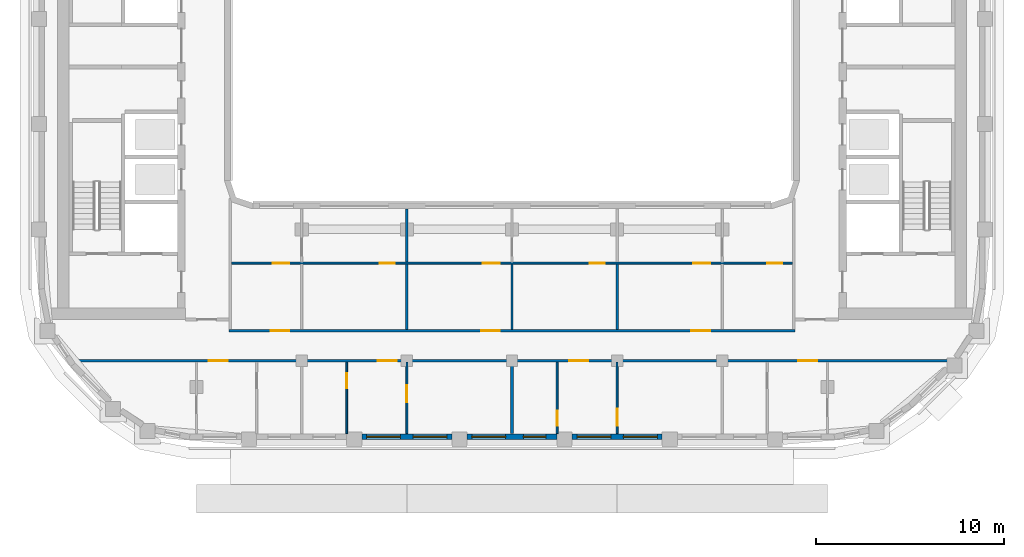
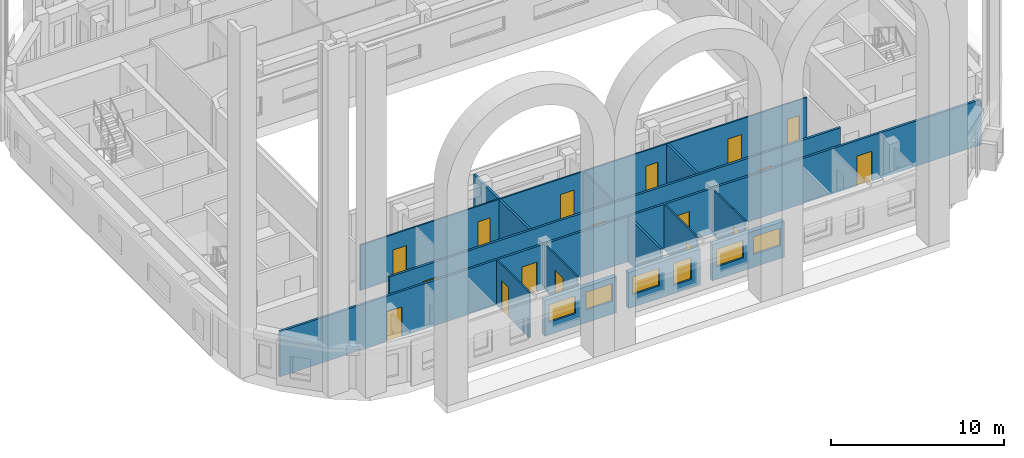
# One storey, part 3 of 19: 17 doors, 15 walls, 6 windows, 23 openings.
"""IFC4 building model written with IfcOpenShell, lengths in metres."""

import ifcopenshell
import ifcopenshell.guid

model = None  # the IFC model being written
_history = None  # IfcOwnerHistory: only IFC2X3 demands one
_inside = {}  # id of a spatial element -> (the spatial element, [elements in it])
_under = {}  # id of a project, library or spatial element -> (it, [spatial elements below it])
_declared = {}  # id of a project -> (the project, [libraries it declares])
_typed = {}  # id of a type object -> (the type object, [elements of that type])
_made_of = {}  # id of a material, layer set ... -> (it, [elements and type objects made of it])


def new_model(schema):
    """Start an empty IFC model of exactly this schema.

    Asked for "IFC4X3", IfcOpenShell would pick the latest addendum, in which some entities
    have other attributes; the version numbers below select the first issue.
    IFC2X3 requires an IfcOwnerHistory on every rooted entity: one is made here for all.
    """
    global model, _history
    if schema == "IFC4X3":
        model = ifcopenshell.file(schema_version=(4, 3, 0, 0))
    else:
        model = ifcopenshell.file(schema=schema)
    _inside.clear()
    _under.clear()
    _declared.clear()
    _typed.clear()
    _made_of.clear()
    _history = None
    if model.schema == "IFC2X3":
        org = make("IfcOrganization", Name="unknown")
        user = make(
            "IfcPersonAndOrganization",
            ThePerson=make("IfcPerson", FamilyName="unknown"),
            TheOrganization=org,
        )
        app = make(
            "IfcApplication",
            ApplicationDeveloper=org,
            Version="unknown",
            ApplicationFullName="unknown",
            ApplicationIdentifier="unknown",
        )
        _history = make(
            "IfcOwnerHistory",
            OwningUser=user,
            OwningApplication=app,
            ChangeAction="ADDED",
            CreationDate=0,
        )
    return model


def make(cls, **values):
    """One entity of the class cls with the attributes given. An attribute that is None is left unset."""
    return model.create_entity(
        cls, **{name: value for name, value in values.items() if value is not None}
    )


def rooted(cls, **values):
    """An entity with a GlobalId (a new one), such as an element, a storey or a relation."""
    return make(cls, GlobalId=ifcopenshell.guid.new(), OwnerHistory=_history, **values)


def si_unit(unit_type, name, prefix=None):
    """IfcSIUnit, for example si_unit("LENGTHUNIT", "METRE", prefix="MILLI")."""
    return make("IfcSIUnit", UnitType=unit_type, Prefix=prefix, Name=name)


def assignment(units):
    """IfcUnitAssignment: the units of a project."""
    return None if units is None else make("IfcUnitAssignment", Units=units)


def point(xyz):
    """IfcCartesianPoint."""
    return None if xyz is None else make("IfcCartesianPoint", Coordinates=xyz)


def direction(xyz):
    """IfcDirection."""
    return None if xyz is None else make("IfcDirection", DirectionRatios=xyz)


def frame(location, z_axis=None, x_axis=None):
    """IfcAxis2Placement3D, a coordinate frame: its origin and axes. An axis left out is left unset."""
    return make(
        "IfcAxis2Placement3D",
        Location=point(location),
        Axis=direction(z_axis),
        RefDirection=direction(x_axis),
    )


def frame_2d(location, x_axis=None):
    """IfcAxis2Placement2D, a coordinate frame in the plane: its origin and x axis."""
    return make(
        "IfcAxis2Placement2D", Location=point(location), RefDirection=direction(x_axis)
    )


def origin():
    """The frame at (0, 0, 0) with its axes left unset."""
    return frame((0.0, 0.0, 0.0))


def place(relative_to, where):
    """IfcLocalPlacement: puts the frame where relative to a parent placement (None: the world)."""
    return make(
        "IfcLocalPlacement", PlacementRelTo=relative_to, RelativePlacement=where
    )


def context(
    kind, dimensions, precision=None, world=None, true_north=None, identifier=None
):
    """IfcGeometricRepresentationContext, for example the 3D "Model" context."""
    return make(
        "IfcGeometricRepresentationContext",
        ContextIdentifier=identifier,
        ContextType=kind,
        CoordinateSpaceDimension=dimensions,
        Precision=precision,
        WorldCoordinateSystem=world,
        TrueNorth=true_north,
    )


def subcontext(parent, identifier, kind, view, scale=None):
    """IfcGeometricRepresentationSubContext, for example "Body" below "Model"."""
    return make(
        "IfcGeometricRepresentationSubContext",
        ContextIdentifier=identifier,
        ContextType=kind,
        ParentContext=parent,
        TargetScale=scale,
        TargetView=view,
    )


def project(units=None, contexts=None):
    """IfcProject with its units and contexts."""
    return rooted(
        "IfcProject",
        Name="project",
        RepresentationContexts=contexts,
        UnitsInContext=assignment(units),
    )


def spatial(cls, under=None, at=None, **own):
    """A site, building, storey or space (cls), placed at a placement, below another one or the project."""
    s = rooted(cls, ObjectPlacement=at, **own)
    if under is not None:
        _under.setdefault(under.id(), (under, []))[1].append(s)
    return s


def profile(cls, at=None, kind="AREA", **sizes):
    """A parametric profile (cls). Its sizes go by their IFC names, for example OverallWidth=200.0."""
    return make(cls, ProfileType=kind, Position=at, **sizes)


def rectangle(**sizes):
    """IfcRectangleProfileDef."""
    return profile("IfcRectangleProfileDef", **sizes)


def extrude(swept, where, along, depth):
    """IfcExtrudedAreaSolid: the profile swept, set in the frame where, extruded along a direction by depth."""
    return make(
        "IfcExtrudedAreaSolid",
        SweptArea=swept,
        Position=where,
        ExtrudedDirection=direction(along),
        Depth=depth,
    )


def shape(context_of_items, identifier, shape_type, items):
    """IfcShapeRepresentation: the items that make up one representation, for example the "Body"."""
    return make(
        "IfcShapeRepresentation",
        ContextOfItems=context_of_items,
        RepresentationIdentifier=identifier,
        RepresentationType=shape_type,
        Items=items,
    )


def material(Name=None, Category=None):
    """IfcMaterial."""
    return make("IfcMaterial", Name=Name, Category=Category)


def layer(
    of_material, thickness, ventilated=None, Name=None, Category=None, Priority=None
):
    """IfcMaterialLayer: one layer of a wall or slab, of a material (None: an air gap)."""
    return make(
        "IfcMaterialLayer",
        Material=of_material,
        LayerThickness=thickness,
        IsVentilated=ventilated,
        Name=Name,
        Category=Category,
        Priority=Priority,
    )


def layer_set(layers, Name=None):
    """IfcMaterialLayerSet."""
    return make("IfcMaterialLayerSet", MaterialLayers=layers, LayerSetName=Name)


def made_of(thing, what):
    """Note that an element or type object is made of a material, layer set ...; save() writes the relation."""
    if what is not None:
        _made_of.setdefault(what.id(), (what, []))[1].append(thing)
    return thing


def type_object(cls, material=None, **own):
    """A type object (cls), such as IfcWallType, which elements share."""
    return made_of(rooted(cls, **own), material)


def element(
    cls,
    number,
    at=None,
    inside=None,
    cuts=None,
    type_object=None,
    material=None,
    context=None,
    identifier="Body",
    shape_type=None,
    held_by="IfcProductDefinitionShape",
    body=None,
    shapes=None,
    **own,
):
    """One element of the class cls, such as IfcWall. Its Tag is "e" and its number.

    at: its placement. inside: the storey or other place that contains it. cuts: it is an
    opening in that element (IfcRelVoidsElement). A single representation is given by context,
    identifier, shape_type and body (its items); several are given by shapes. held_by: the class
    of the entity that holds the representations. save() writes the other relations.
    """
    e = rooted(cls, Tag="e%d" % number, ObjectPlacement=at, **own)
    if body is not None:
        shapes = [shape(context, identifier, shape_type, body)]
    if shapes is not None:
        e.Representation = make(held_by, Representations=shapes)
    if inside is not None:
        _inside.setdefault(inside.id(), (inside, []))[1].append(e)
    if cuts is not None:
        rooted(
            "IfcRelVoidsElement", RelatingBuildingElement=cuts, RelatedOpeningElement=e
        )
    if type_object is not None:
        _typed.setdefault(type_object.id(), (type_object, []))[1].append(e)
    return made_of(e, material)


def fill(opening, filler):
    """IfcRelFillsElement: the door or window that sits in an opening."""
    return rooted(
        "IfcRelFillsElement",
        RelatingOpeningElement=opening,
        RelatedBuildingElement=filler,
    )


def aggregate(whole, parts):
    """IfcRelAggregates: a whole, such as a stair, and the parts it consists of."""
    return rooted("IfcRelAggregates", RelatingObject=whole, RelatedObjects=parts)


def save(model, path):
    """Write the relations noted so far, then the file.

    IfcRelAggregates (storeys below a building ...), IfcRelContainedInSpatialStructure (elements
    in a storey), IfcRelDefinesByType, IfcRelAssociatesMaterial and IfcRelDeclares: one each for
    every whole, place, type object, material and project.
    """
    for whole, parts in _under.values():
        aggregate(whole, parts)
    for where, things in _inside.values():
        rooted(
            "IfcRelContainedInSpatialStructure",
            RelatedElements=things,
            RelatingStructure=where,
        )
    for kind, things in _typed.values():
        rooted("IfcRelDefinesByType", RelatedObjects=things, RelatingType=kind)
    for what, things in _made_of.values():
        rooted("IfcRelAssociatesMaterial", RelatedObjects=things, RelatingMaterial=what)
    for by, libraries in _declared.values():
        rooted("IfcRelDeclares", RelatingContext=by, RelatedDefinitions=libraries)
    model.write(path)


model = new_model("IFC4")

# Units and contexts
model_context = context("Model", 3, precision=1e-05, world=origin(), true_north=direction((0.0, 1.0)))
body_context = subcontext(model_context, "Body", "Model", "MODEL_VIEW")
ifc_project = project(units=[si_unit("LENGTHUNIT", "METRE"), si_unit("AREAUNIT", "SQUARE_METRE"), si_unit("VOLUMEUNIT", "CUBIC_METRE"), si_unit("PLANEANGLEUNIT", "RADIAN"), si_unit("MASSUNIT", "GRAM", prefix="KILO")], contexts=[model_context])

# Site, building, storey
site_placement = place(None, origin())
site = spatial("IfcSite", under=ifc_project, at=site_placement, CompositionType="ELEMENT")
building_placement = place(site_placement, origin())
building = spatial("IfcBuilding", under=site, at=building_placement, Name="Kiln Ring Residences", CompositionType="ELEMENT")
storey_placement = place(building_placement, frame((0.0, 0.0, 241.699951171875)))
storey = spatial("IfcBuildingStorey", under=building, at=storey_placement, Name="L62", CompositionType="ELEMENT", Elevation=241.699951171875)

# Wall, openings, windows
ifc_material_1 = material(Name="Brick masonry, dark clay brick", Category="masonry")
ifc_layer_1 = layer(ifc_material_1, 0.300048828125)
ifc_layer_set_1 = layer_set([ifc_layer_1], Name="EW-300 BRICK WALL")
wall_type_1 = type_object("IfcWallType", Name="EW-300 BRICK WALL", PredefinedType="SOLIDWALL", material=ifc_layer_set_1)
wall_1_placement = place(storey_placement, frame((-8.0, -19.449951171875, 0.0), z_axis=(0.0, 0.0, 1.0), x_axis=(1.0, 0.0, 0.0)))
wall_1 = element("IfcWall", 1, at=wall_1_placement, inside=storey, type_object=wall_type_1, Name="Facade wall L62 6", PredefinedType="SOLIDWALL", context=body_context, shape_type="SweptSolid", body=[
    extrude(rectangle(XDim=4.800048828125, YDim=0.300048828125, at=frame_2d((2.39990234375, 0.0))), origin(), (0.0, 0.0, 1.0), 2.550048828125),
])
opening_1_placement = place(wall_1_placement, frame((0.262451171875, 0.0, 0.89990234375)))
opening_1 = element("IfcOpeningElement", 2, at=opening_1_placement, cuts=wall_1, Name="Opening W2", PredefinedType="OPENING", context=body_context, shape_type="SweptSolid", body=[
    extrude(rectangle(XDim=1.800048828125, YDim=1.25, at=frame_2d((0.89990234375, 0.625))), frame((0.0, 0.159912109375, 0.0), z_axis=(0.0, -1.0, 0.0), x_axis=(1.0, 0.0, 0.0)), (0.0, 0.0, 1.0), 0.320068359375),
])
opening_2_placement = place(wall_1_placement, frame((2.737548828125, 0.0, 0.89990234375)))
opening_2 = element("IfcOpeningElement", 3, at=opening_2_placement, cuts=wall_1, Name="Opening W2", PredefinedType="OPENING", context=body_context, shape_type="SweptSolid", body=[
    extrude(rectangle(XDim=1.800048828125, YDim=1.25, at=frame_2d((0.89990234375, 0.625))), frame((0.0, 0.159912109375, 0.0), z_axis=(0.0, -1.0, 0.0), x_axis=(1.0, 0.0, 0.0)), (0.0, 0.0, 1.0), 0.320068359375),
])
ifc_material_2 = material(Name="Aluminium frame with double glazing", Category="aluminium")
window_type_1 = type_object("IfcWindowType", Name="WINDOW 1800 x 1250", PartitioningType="SINGLE_PANEL", PredefinedType="WINDOW", material=ifc_material_2)
window_1_placement = place(opening_1_placement, origin())
window_1 = element("IfcWindow", 4, at=window_1_placement, inside=storey, type_object=window_type_1, Name="Window L62 6", OverallHeight=1.25, OverallWidth=1.800048828125, PartitioningType="SINGLE_PANEL", PredefinedType="WINDOW", context=body_context, shape_type="SweptSolid", body=[
    extrude(rectangle(XDim=1.800048828125, YDim=1.25, at=frame_2d((0.89990234375, 0.625))), frame((0.0, 0.030029296875, 0.0), z_axis=(0.0, -1.0, 0.0), x_axis=(1.0, 0.0, 0.0)), (0.0, 0.0, 1.0), 0.06005859375),
])
fill(opening_1, window_1)
window_2_placement = place(opening_2_placement, origin())
window_2 = element("IfcWindow", 5, at=window_2_placement, inside=storey, type_object=window_type_1, Name="Window L62 7", OverallHeight=1.25, OverallWidth=1.800048828125, PartitioningType="SINGLE_PANEL", PredefinedType="WINDOW", context=body_context, shape_type="SweptSolid", body=[
    extrude(rectangle(XDim=1.800048828125, YDim=1.25, at=frame_2d((0.89990234375, 0.625))), frame((0.0, 0.030029296875, 0.0), z_axis=(0.0, -1.0, 0.0), x_axis=(1.0, 0.0, 0.0)), (0.0, 0.0, 1.0), 0.06005859375),
])
fill(opening_2, window_2)

wall_2_placement = place(storey_placement, frame((-2.39990234375, -19.449951171875, 0.0), z_axis=(0.0, 0.0, 1.0), x_axis=(1.0, 0.0, 0.0)))
wall_2 = element("IfcWall", 6, at=wall_2_placement, inside=storey, type_object=wall_type_1, Name="Facade wall L62 7", PredefinedType="SOLIDWALL", context=body_context, shape_type="SweptSolid", body=[
    extrude(rectangle(XDim=4.7998046875, YDim=0.300048828125, at=frame_2d((2.39990234375, 0.0))), origin(), (0.0, 0.0, 1.0), 2.550048828125),
])
opening_3_placement = place(wall_2_placement, frame((0.262451171875, 0.0, 0.89990234375)))
opening_3 = element("IfcOpeningElement", 7, at=opening_3_placement, cuts=wall_2, Name="Opening W2", PredefinedType="OPENING", context=body_context, shape_type="SweptSolid", body=[
    extrude(rectangle(XDim=1.800048828125, YDim=1.25, at=frame_2d((0.89990234375, 0.625))), frame((0.0, 0.159912109375, 0.0), z_axis=(0.0, -1.0, 0.0), x_axis=(1.0, 0.0, 0.0)), (0.0, 0.0, 1.0), 0.320068359375),
])
opening_4_placement = place(wall_2_placement, frame((3.0, 0.0, 0.60009765625)))
opening_4 = element("IfcOpeningElement", 8, at=opening_4_placement, cuts=wall_2, Name="Opening W1", PredefinedType="OPENING", context=body_context, shape_type="SweptSolid", body=[
    extrude(rectangle(XDim=1.199951171875, YDim=1.550048828125, at=frame_2d((0.60009765625, 0.77490234375))), frame((0.0, 0.159912109375, 0.0), z_axis=(0.0, -1.0, 0.0), x_axis=(1.0, 0.0, 0.0)), (0.0, 0.0, 1.0), 0.320068359375),
])
ifc_material_3 = material(Name="Aluminium frame with double glazing", Category="aluminium")
window_type_2 = type_object("IfcWindowType", Name="WINDOW 1200 x 1550", PartitioningType="SINGLE_PANEL", PredefinedType="WINDOW", material=ifc_material_3)
window_3_placement = place(opening_4_placement, origin())
window_3 = element("IfcWindow", 9, at=window_3_placement, inside=storey, type_object=window_type_2, Name="Window L62 9", OverallHeight=1.550048828125, OverallWidth=1.199951171875, PartitioningType="SINGLE_PANEL", PredefinedType="WINDOW", context=body_context, shape_type="SweptSolid", body=[
    extrude(rectangle(XDim=1.199951171875, YDim=1.550048828125, at=frame_2d((0.60009765625, 0.77490234375))), frame((0.0, 0.030029296875, 0.0), z_axis=(0.0, -1.0, 0.0), x_axis=(1.0, 0.0, 0.0)), (0.0, 0.0, 1.0), 0.06005859375),
])
fill(opening_4, window_3)
window_4_placement = place(opening_3_placement, origin())
window_4 = element("IfcWindow", 10, at=window_4_placement, inside=storey, type_object=window_type_1, Name="Window L62 8", OverallHeight=1.25, OverallWidth=1.800048828125, PartitioningType="SINGLE_PANEL", PredefinedType="WINDOW", context=body_context, shape_type="SweptSolid", body=[
    extrude(rectangle(XDim=1.800048828125, YDim=1.25, at=frame_2d((0.89990234375, 0.625))), frame((0.0, 0.030029296875, 0.0), z_axis=(0.0, -1.0, 0.0), x_axis=(1.0, 0.0, 0.0)), (0.0, 0.0, 1.0), 0.06005859375),
])
fill(opening_3, window_4)

wall_3_placement = place(storey_placement, frame((3.199951171875, -19.449951171875, 0.0), z_axis=(0.0, 0.0, 1.0), x_axis=(1.0, 0.0, 0.0)))
wall_3 = element("IfcWall", 11, at=wall_3_placement, inside=storey, type_object=wall_type_1, Name="Facade wall L62 8", PredefinedType="SOLIDWALL", context=body_context, shape_type="SweptSolid", body=[
    extrude(rectangle(XDim=4.800048828125, YDim=0.300048828125, at=frame_2d((2.39990234375, 0.0))), origin(), (0.0, 0.0, 1.0), 2.550048828125),
])
opening_5_placement = place(wall_3_placement, frame((0.262451171875, 0.0, 0.89990234375)))
opening_5 = element("IfcOpeningElement", 12, at=opening_5_placement, cuts=wall_3, Name="Opening W2", PredefinedType="OPENING", context=body_context, shape_type="SweptSolid", body=[
    extrude(rectangle(XDim=1.800048828125, YDim=1.25, at=frame_2d((0.89990234375, 0.625))), frame((0.0, 0.159912109375, 0.0), z_axis=(0.0, -1.0, 0.0), x_axis=(1.0, 0.0, 0.0)), (0.0, 0.0, 1.0), 0.320068359375),
])
opening_6_placement = place(wall_3_placement, frame((2.737548828125, 0.0, 0.89990234375)))
opening_6 = element("IfcOpeningElement", 13, at=opening_6_placement, cuts=wall_3, Name="Opening W2", PredefinedType="OPENING", context=body_context, shape_type="SweptSolid", body=[
    extrude(rectangle(XDim=1.800048828125, YDim=1.25, at=frame_2d((0.89990234375, 0.625))), frame((0.0, 0.159912109375, 0.0), z_axis=(0.0, -1.0, 0.0), x_axis=(1.0, 0.0, 0.0)), (0.0, 0.0, 1.0), 0.320068359375),
])
window_5_placement = place(opening_5_placement, origin())
window_5 = element("IfcWindow", 14, at=window_5_placement, inside=storey, type_object=window_type_1, Name="Window L62 10", OverallHeight=1.25, OverallWidth=1.800048828125, PartitioningType="SINGLE_PANEL", PredefinedType="WINDOW", context=body_context, shape_type="SweptSolid", body=[
    extrude(rectangle(XDim=1.800048828125, YDim=1.25, at=frame_2d((0.89990234375, 0.625))), frame((0.0, 0.030029296875, 0.0), z_axis=(0.0, -1.0, 0.0), x_axis=(1.0, 0.0, 0.0)), (0.0, 0.0, 1.0), 0.06005859375),
])
fill(opening_5, window_5)
window_6_placement = place(opening_6_placement, origin())
window_6 = element("IfcWindow", 15, at=window_6_placement, inside=storey, type_object=window_type_1, Name="Window L62 11", OverallHeight=1.25, OverallWidth=1.800048828125, PartitioningType="SINGLE_PANEL", PredefinedType="WINDOW", context=body_context, shape_type="SweptSolid", body=[
    extrude(rectangle(XDim=1.800048828125, YDim=1.25, at=frame_2d((0.89990234375, 0.625))), frame((0.0, 0.030029296875, 0.0), z_axis=(0.0, -1.0, 0.0), x_axis=(1.0, 0.0, 0.0)), (0.0, 0.0, 1.0), 0.06005859375),
])
fill(opening_6, window_6)

# Wall, openings, doors
ifc_material_4 = material(Name="Gypsum board on steel studs", Category="steel")
ifc_layer_2 = layer(ifc_material_4, 0.10009765625)
ifc_layer_set_2 = layer_set([ifc_layer_2], Name="PARTITION-100")
wall_type_2 = type_object("IfcWallType", Name="PARTITION-100", PredefinedType="PARTITIONING", material=ifc_layer_set_2)
wall_4_placement = place(storey_placement, frame((-14.925048828125, -10.199951171875, 0.0), z_axis=(0.0, 0.0, 1.0), x_axis=(1.0, 0.0, 0.0)))
wall_4 = element("IfcWall", 16, at=wall_4_placement, inside=storey, type_object=wall_type_2, Name="Partition 004", PredefinedType="PARTITIONING", context=body_context, shape_type="SweptSolid", body=[
    extrude(rectangle(XDim=29.85009765625, YDim=0.10009765625, at=frame_2d((14.925048828125, 0.0))), origin(), (0.0, 0.0, 1.0), 3.199951171875),
])
opening_7_placement = place(wall_4_placement, frame((7.875, 0.0, 0.0)))
opening_7 = element("IfcOpeningElement", 17, at=opening_7_placement, cuts=wall_4, Name="Opening L62-D030", PredefinedType="OPENING", context=body_context, shape_type="SweptSolid", body=[
    extrude(rectangle(XDim=0.800048828125, YDim=2.10009765625, at=frame_2d((0.39990234375, 1.050048828125))), frame((0.0, 0.06005859375, 0.0), z_axis=(0.0, -1.0, 0.0), x_axis=(1.0, 0.0, 0.0)), (0.0, 0.0, 1.0), 0.1201171875),
])
opening_8_placement = place(wall_4_placement, frame((2.175048828125, 0.0, 0.0)))
opening_8 = element("IfcOpeningElement", 18, at=opening_8_placement, cuts=wall_4, Name="Opening L62-D031", PredefinedType="OPENING", context=body_context, shape_type="SweptSolid", body=[
    extrude(rectangle(XDim=0.89990234375, YDim=2.10009765625, at=frame_2d((0.449951171875, 1.050048828125))), frame((0.0, 0.06005859375, 0.0), z_axis=(0.0, -1.0, 0.0), x_axis=(1.0, 0.0, 0.0)), (0.0, 0.0, 1.0), 0.1201171875),
])
opening_9_placement = place(wall_4_placement, frame((19.074951171875, 0.0, 0.0)))
opening_9 = element("IfcOpeningElement", 19, at=opening_9_placement, cuts=wall_4, Name="Opening L62-D034", PredefinedType="OPENING", context=body_context, shape_type="SweptSolid", body=[
    extrude(rectangle(XDim=0.800048828125, YDim=2.10009765625, at=frame_2d((0.39990234375, 1.050048828125))), frame((0.0, 0.06005859375, 0.0), z_axis=(0.0, -1.0, 0.0), x_axis=(1.0, 0.0, 0.0)), (0.0, 0.0, 1.0), 0.1201171875),
])
opening_10_placement = place(wall_4_placement, frame((13.375, 0.0, 0.0)))
opening_10 = element("IfcOpeningElement", 20, at=opening_10_placement, cuts=wall_4, Name="Opening L62-D035", PredefinedType="OPENING", context=body_context, shape_type="SweptSolid", body=[
    extrude(rectangle(XDim=0.89990234375, YDim=2.10009765625, at=frame_2d((0.449951171875, 1.050048828125))), frame((0.0, 0.06005859375, 0.0), z_axis=(0.0, -1.0, 0.0), x_axis=(1.0, 0.0, 0.0)), (0.0, 0.0, 1.0), 0.1201171875),
])
opening_11_placement = place(wall_4_placement, frame((28.52490234375, 0.0, 0.0)))
opening_11 = element("IfcOpeningElement", 21, at=opening_11_placement, cuts=wall_4, Name="Opening L62-D038", PredefinedType="OPENING", context=body_context, shape_type="SweptSolid", body=[
    extrude(rectangle(XDim=0.800048828125, YDim=2.10009765625, at=frame_2d((0.39990234375, 1.050048828125))), frame((0.0, 0.06005859375, 0.0), z_axis=(0.0, -1.0, 0.0), x_axis=(1.0, 0.0, 0.0)), (0.0, 0.0, 1.0), 0.1201171875),
])
opening_12_placement = place(wall_4_placement, frame((24.574951171875, 0.0, 0.0)))
opening_12 = element("IfcOpeningElement", 22, at=opening_12_placement, cuts=wall_4, Name="Opening L62-D039", PredefinedType="OPENING", context=body_context, shape_type="SweptSolid", body=[
    extrude(rectangle(XDim=0.89990234375, YDim=2.10009765625, at=frame_2d((0.449951171875, 1.050048828125))), frame((0.0, 0.06005859375, 0.0), z_axis=(0.0, -1.0, 0.0), x_axis=(1.0, 0.0, 0.0)), (0.0, 0.0, 1.0), 0.1201171875),
])
ifc_material_5 = material(Name="Timber door leaf", Category="wood")
door_type_1 = type_object("IfcDoorType", Name="FLAT-DOOR-800-PL", OperationType="SINGLE_SWING_LEFT", PredefinedType="DOOR", material=ifc_material_5)
door_1_placement = place(opening_7_placement, origin())
door_1 = element("IfcDoor", 23, at=door_1_placement, inside=storey, type_object=door_type_1, Name="Door L62-D030", OperationType="SINGLE_SWING_RIGHT", OverallHeight=2.10009765625, OverallWidth=0.800048828125, PredefinedType="DOOR", context=body_context, shape_type="SweptSolid", body=[
    extrude(rectangle(XDim=0.800048828125, YDim=2.10009765625, at=frame_2d((0.39990234375, 1.050048828125))), frame((0.0, 0.02490234375, 0.0), z_axis=(0.0, -1.0, 0.0), x_axis=(1.0, 0.0, 0.0)), (0.0, 0.0, 1.0), 0.050048828125),
])
fill(opening_7, door_1)
door_2_placement = place(opening_9_placement, origin())
door_2 = element("IfcDoor", 24, at=door_2_placement, inside=storey, type_object=door_type_1, Name="Door L62-D034", OperationType="SINGLE_SWING_RIGHT", OverallHeight=2.10009765625, OverallWidth=0.800048828125, PredefinedType="DOOR", context=body_context, shape_type="SweptSolid", body=[
    extrude(rectangle(XDim=0.800048828125, YDim=2.10009765625, at=frame_2d((0.39990234375, 1.050048828125))), frame((0.0, 0.02490234375, 0.0), z_axis=(0.0, -1.0, 0.0), x_axis=(1.0, 0.0, 0.0)), (0.0, 0.0, 1.0), 0.050048828125),
])
fill(opening_9, door_2)
door_3_placement = place(opening_11_placement, origin())
door_3 = element("IfcDoor", 25, at=door_3_placement, inside=storey, type_object=door_type_1, Name="Door L62-D038", OperationType="SINGLE_SWING_RIGHT", OverallHeight=2.10009765625, OverallWidth=0.800048828125, PredefinedType="DOOR", context=body_context, shape_type="SweptSolid", body=[
    extrude(rectangle(XDim=0.800048828125, YDim=2.10009765625, at=frame_2d((0.39990234375, 1.050048828125))), frame((0.0, 0.02490234375, 0.0), z_axis=(0.0, -1.0, 0.0), x_axis=(1.0, 0.0, 0.0)), (0.0, 0.0, 1.0), 0.050048828125),
])
fill(opening_11, door_3)
ifc_material_6 = material(Name="Timber door leaf", Category="wood")
door_type_2 = type_object("IfcDoorType", Name="FLAT-DOOR-900-PL", OperationType="SINGLE_SWING_LEFT", PredefinedType="DOOR", material=ifc_material_6)
door_4_placement = place(opening_8_placement, origin())
door_4 = element("IfcDoor", 26, at=door_4_placement, inside=storey, type_object=door_type_2, Name="Door L62-D031", OperationType="SINGLE_SWING_LEFT", OverallHeight=2.10009765625, OverallWidth=0.89990234375, PredefinedType="DOOR", context=body_context, shape_type="SweptSolid", body=[
    extrude(rectangle(XDim=0.89990234375, YDim=2.10009765625, at=frame_2d((0.449951171875, 1.050048828125))), frame((0.0, 0.02490234375, 0.0), z_axis=(0.0, -1.0, 0.0), x_axis=(1.0, 0.0, 0.0)), (0.0, 0.0, 1.0), 0.050048828125),
])
fill(opening_8, door_4)
door_5_placement = place(opening_10_placement, origin())
door_5 = element("IfcDoor", 27, at=door_5_placement, inside=storey, type_object=door_type_2, Name="Door L62-D035", OperationType="SINGLE_SWING_LEFT", OverallHeight=2.10009765625, OverallWidth=0.89990234375, PredefinedType="DOOR", context=body_context, shape_type="SweptSolid", body=[
    extrude(rectangle(XDim=0.89990234375, YDim=2.10009765625, at=frame_2d((0.449951171875, 1.050048828125))), frame((0.0, 0.02490234375, 0.0), z_axis=(0.0, -1.0, 0.0), x_axis=(1.0, 0.0, 0.0)), (0.0, 0.0, 1.0), 0.050048828125),
])
fill(opening_10, door_5)
door_6_placement = place(opening_12_placement, origin())
door_6 = element("IfcDoor", 28, at=door_6_placement, inside=storey, type_object=door_type_2, Name="Door L62-D039", OperationType="SINGLE_SWING_LEFT", OverallHeight=2.10009765625, OverallWidth=0.89990234375, PredefinedType="DOOR", context=body_context, shape_type="SweptSolid", body=[
    extrude(rectangle(XDim=0.89990234375, YDim=2.10009765625, at=frame_2d((0.449951171875, 1.050048828125))), frame((0.0, 0.02490234375, 0.0), z_axis=(0.0, -1.0, 0.0), x_axis=(1.0, 0.0, 0.0)), (0.0, 0.0, 1.0), 0.050048828125),
])
fill(opening_12, door_6)

# Wall, opening, door
wall_5_placement = place(storey_placement, frame((-8.800048828125, -19.280029296875, 0.0), z_axis=(0.0, 0.0, 1.0), x_axis=(0.0, 1.0, 0.0)))
wall_5 = element("IfcWall", 29, at=wall_5_placement, inside=storey, type_object=wall_type_2, Name="Partition 021", PredefinedType="PARTITIONING", context=body_context, shape_type="SweptSolid", body=[
    extrude(rectangle(XDim=3.804931640625, YDim=0.10009765625, at=frame_2d((1.90234375, 0.0))), origin(), (0.0, 0.0, 1.0), 3.199951171875),
])
opening_13_placement = place(wall_5_placement, frame((2.428955078125, 0.0, 0.0)))
opening_13 = element("IfcOpeningElement", 30, at=opening_13_placement, cuts=wall_5, Name="Opening L62-D045", PredefinedType="OPENING", context=body_context, shape_type="SweptSolid", body=[
    extrude(rectangle(XDim=0.800048828125, YDim=2.10009765625, at=frame_2d((0.39990234375, 1.050048828125))), frame((0.0, 0.06005859375, 0.0), z_axis=(0.0, -1.0, 0.0), x_axis=(1.0, 0.0, 0.0)), (0.0, 0.0, 1.0), 0.1201171875),
])
door_7_placement = place(opening_13_placement, origin())
door_7 = element("IfcDoor", 31, at=door_7_placement, inside=storey, type_object=door_type_1, Name="Door L62-D045", OperationType="SINGLE_SWING_LEFT", OverallHeight=2.10009765625, OverallWidth=0.800048828125, PredefinedType="DOOR", context=body_context, shape_type="SweptSolid", body=[
    extrude(rectangle(XDim=0.800048828125, YDim=2.10009765625, at=frame_2d((0.39990234375, 1.050048828125))), frame((0.0, 0.02490234375, 0.0), z_axis=(0.0, -1.0, 0.0), x_axis=(1.0, 0.0, 0.0)), (0.0, 0.0, 1.0), 0.050048828125),
])
fill(opening_13, door_7)

wall_6_placement = place(storey_placement, frame((-5.60009765625, -19.280029296875, 0.0), z_axis=(0.0, 0.0, 1.0), x_axis=(0.0, 1.0, 0.0)))
wall_6 = element("IfcWall", 32, at=wall_6_placement, inside=storey, type_object=wall_type_2, Name="Partition 023", PredefinedType="PARTITIONING", context=body_context, shape_type="SweptSolid", body=[
    extrude(rectangle(XDim=3.804931640625, YDim=0.10009765625, at=frame_2d((1.90234375, 0.0))), origin(), (0.0, 0.0, 1.0), 3.199951171875),
])
opening_14_placement = place(wall_6_placement, frame((1.669921875, 0.0, 0.0)))
opening_14 = element("IfcOpeningElement", 33, at=opening_14_placement, cuts=wall_6, Name="Opening L62-D046", PredefinedType="OPENING", context=body_context, shape_type="SweptSolid", body=[
    extrude(rectangle(XDim=0.89990234375, YDim=2.10009765625, at=frame_2d((0.449951171875, 1.050048828125))), frame((0.0, 0.06005859375, 0.0), z_axis=(0.0, -1.0, 0.0), x_axis=(1.0, 0.0, 0.0)), (0.0, 0.0, 1.0), 0.1201171875),
])
door_8_placement = place(opening_14_placement, origin())
door_8 = element("IfcDoor", 34, at=door_8_placement, inside=storey, type_object=door_type_2, Name="Door L62-D046", OperationType="SINGLE_SWING_RIGHT", OverallHeight=2.10009765625, OverallWidth=0.89990234375, PredefinedType="DOOR", context=body_context, shape_type="SweptSolid", body=[
    extrude(rectangle(XDim=0.89990234375, YDim=2.10009765625, at=frame_2d((0.449951171875, 1.050048828125))), frame((0.0, 0.02490234375, 0.0), z_axis=(0.0, -1.0, 0.0), x_axis=(1.0, 0.0, 0.0)), (0.0, 0.0, 1.0), 0.050048828125),
])
fill(opening_14, door_8)

# Wall
wall_7_placement = place(storey_placement, frame((0.0, -13.72509765625, 0.0), z_axis=(0.0, 0.0, 1.0), x_axis=(0.0, 1.0, 0.0)))
element("IfcWall", 35, at=wall_7_placement, inside=storey, type_object=wall_type_2, Name="Partition 030", PredefinedType="PARTITIONING", context=body_context, shape_type="SweptSolid", body=[
    extrude(rectangle(XDim=3.47509765625, YDim=0.10009765625, at=frame_2d((1.737548828125, 0.0))), origin(), (0.0, 0.0, 1.0), 3.199951171875),
])

# Wall, opening, door
wall_8_placement = place(storey_placement, frame((2.39990234375, -19.280029296875, 0.0), z_axis=(0.0, 0.0, 1.0), x_axis=(0.0, 1.0, 0.0)))
wall_8 = element("IfcWall", 36, at=wall_8_placement, inside=storey, type_object=wall_type_2, Name="Partition 036", PredefinedType="PARTITIONING", context=body_context, shape_type="SweptSolid", body=[
    extrude(rectangle(XDim=3.804931640625, YDim=0.10009765625, at=frame_2d((1.90234375, 0.0))), origin(), (0.0, 0.0, 1.0), 3.199951171875),
])
opening_15_placement = place(wall_8_placement, frame((0.428955078125, 0.0, 0.0)))
opening_15 = element("IfcOpeningElement", 37, at=opening_15_placement, cuts=wall_8, Name="Opening L62-D048", PredefinedType="OPENING", context=body_context, shape_type="SweptSolid", body=[
    extrude(rectangle(XDim=0.800048828125, YDim=2.10009765625, at=frame_2d((0.39990234375, 1.050048828125))), frame((0.0, 0.06005859375, 0.0), z_axis=(0.0, -1.0, 0.0), x_axis=(1.0, 0.0, 0.0)), (0.0, 0.0, 1.0), 0.1201171875),
])
door_9_placement = place(opening_15_placement, origin())
door_9 = element("IfcDoor", 38, at=door_9_placement, inside=storey, type_object=door_type_1, Name="Door L62-D048", OperationType="SINGLE_SWING_RIGHT", OverallHeight=2.10009765625, OverallWidth=0.800048828125, PredefinedType="DOOR", context=body_context, shape_type="SweptSolid", body=[
    extrude(rectangle(XDim=0.800048828125, YDim=2.10009765625, at=frame_2d((0.39990234375, 1.050048828125))), frame((0.0, 0.02490234375, 0.0), z_axis=(0.0, -1.0, 0.0), x_axis=(1.0, 0.0, 0.0)), (0.0, 0.0, 1.0), 0.050048828125),
])
fill(opening_15, door_9)

wall_9_placement = place(storey_placement, frame((5.60009765625, -19.280029296875, 0.0), z_axis=(0.0, 0.0, 1.0), x_axis=(0.0, 1.0, 0.0)))
wall_9 = element("IfcWall", 39, at=wall_9_placement, inside=storey, type_object=wall_type_2, Name="Partition 038", PredefinedType="PARTITIONING", context=body_context, shape_type="SweptSolid", body=[
    extrude(rectangle(XDim=3.804931640625, YDim=0.10009765625, at=frame_2d((1.90234375, 0.0))), origin(), (0.0, 0.0, 1.0), 3.199951171875),
])
opening_16_placement = place(wall_9_placement, frame((0.419921875, 0.0, 0.0)))
opening_16 = element("IfcOpeningElement", 40, at=opening_16_placement, cuts=wall_9, Name="Opening L62-D049", PredefinedType="OPENING", context=body_context, shape_type="SweptSolid", body=[
    extrude(rectangle(XDim=0.89990234375, YDim=2.10009765625, at=frame_2d((0.449951171875, 1.050048828125))), frame((0.0, 0.06005859375, 0.0), z_axis=(0.0, -1.0, 0.0), x_axis=(1.0, 0.0, 0.0)), (0.0, 0.0, 1.0), 0.1201171875),
])
door_10_placement = place(opening_16_placement, origin())
door_10 = element("IfcDoor", 41, at=door_10_placement, inside=storey, type_object=door_type_2, Name="Door L62-D049", OperationType="SINGLE_SWING_LEFT", OverallHeight=2.10009765625, OverallWidth=0.89990234375, PredefinedType="DOOR", context=body_context, shape_type="SweptSolid", body=[
    extrude(rectangle(XDim=0.89990234375, YDim=2.10009765625, at=frame_2d((0.449951171875, 1.050048828125))), frame((0.0, 0.02490234375, 0.0), z_axis=(0.0, -1.0, 0.0), x_axis=(1.0, 0.0, 0.0)), (0.0, 0.0, 1.0), 0.050048828125),
])
fill(opening_16, door_10)

# Wall, openings, doors
ifc_material_7 = material(Name="Brick masonry partition", Category="masonry")
ifc_layer_3 = layer(ifc_material_7, 0.14990234375)
ifc_layer_set_3 = layer_set([ifc_layer_3], Name="PARTITION-150-ei60")
wall_type_3 = type_object("IfcWallType", Name="PARTITION-150-ei60", PredefinedType="PARTITIONING", material=ifc_layer_set_3)
wall_10_placement = place(storey_placement, frame((-23.322021484375, -15.39990234375, 0.0), z_axis=(0.0, 0.0, 1.0), x_axis=(1.0, 0.0, 0.0)))
wall_10 = element("IfcWall", 42, at=wall_10_placement, inside=storey, type_object=wall_type_3, Name="Partition 000", PredefinedType="PARTITIONING", context=body_context, shape_type="SweptSolid", body=[
    extrude(rectangle(XDim=46.8720703125, YDim=0.14990234375, at=frame_2d((23.43603515625, 0.0))), origin(), (0.0, 0.0, 1.0), 3.199951171875),
])
opening_17_placement = place(wall_10_placement, frame((7.172119140625, 0.0, 0.0)))
opening_17 = element("IfcOpeningElement", 43, at=opening_17_placement, cuts=wall_10, Name="Opening L62-D041", PredefinedType="OPENING", context=body_context, shape_type="SweptSolid", body=[
    extrude(rectangle(XDim=1.0, YDim=2.10009765625, at=frame_2d((0.5, 1.050048828125))), frame((0.0, 0.0849609375, 0.0), z_axis=(0.0, -1.0, 0.0), x_axis=(1.0, 0.0, 0.0)), (0.0, 0.0, 1.0), 0.169921875),
])
opening_18_placement = place(wall_10_placement, frame((16.172119140625, 0.0, 0.0)))
opening_18 = element("IfcOpeningElement", 44, at=opening_18_placement, cuts=wall_10, Name="Opening L62-D044", PredefinedType="OPENING", context=body_context, shape_type="SweptSolid", body=[
    extrude(rectangle(XDim=1.0, YDim=2.10009765625, at=frame_2d((0.5, 1.050048828125))), frame((0.0, 0.0849609375, 0.0), z_axis=(0.0, -1.0, 0.0), x_axis=(1.0, 0.0, 0.0)), (0.0, 0.0, 1.0), 0.169921875),
])
opening_19_placement = place(wall_10_placement, frame((26.3720703125, 0.0, 0.0)))
opening_19 = element("IfcOpeningElement", 45, at=opening_19_placement, cuts=wall_10, Name="Opening L62-D047", PredefinedType="OPENING", context=body_context, shape_type="SweptSolid", body=[
    extrude(rectangle(XDim=1.0, YDim=2.10009765625, at=frame_2d((0.5, 1.050048828125))), frame((0.0, 0.0849609375, 0.0), z_axis=(0.0, -1.0, 0.0), x_axis=(1.0, 0.0, 0.0)), (0.0, 0.0, 1.0), 0.169921875),
])
opening_20_placement = place(wall_10_placement, frame((38.572021484375, 0.0, 0.0)))
opening_20 = element("IfcOpeningElement", 46, at=opening_20_placement, cuts=wall_10, Name="Opening L62-D050", PredefinedType="OPENING", context=body_context, shape_type="SweptSolid", body=[
    extrude(rectangle(XDim=1.0, YDim=2.10009765625, at=frame_2d((0.5, 1.050048828125))), frame((0.0, 0.0849609375, 0.0), z_axis=(0.0, -1.0, 0.0), x_axis=(1.0, 0.0, 0.0)), (0.0, 0.0, 1.0), 0.169921875),
])
ifc_material_8 = material(Name="Steel faced fire door leaf", Category="steel")
door_type_3 = type_object("IfcDoorType", Name="FLAT-DOOR-1000-FR", OperationType="SINGLE_SWING_LEFT", PredefinedType="DOOR", material=ifc_material_8)
door_11_placement = place(opening_17_placement, origin())
door_11 = element("IfcDoor", 47, at=door_11_placement, inside=storey, type_object=door_type_3, Name="Door L62-D041", OperationType="SINGLE_SWING_LEFT", OverallHeight=2.10009765625, OverallWidth=1.0, PredefinedType="DOOR", context=body_context, shape_type="SweptSolid", body=[
    extrude(rectangle(XDim=1.0, YDim=2.10009765625, at=frame_2d((0.5, 1.050048828125))), frame((0.0, 0.02490234375, 0.0), z_axis=(0.0, -1.0, 0.0), x_axis=(1.0, 0.0, 0.0)), (0.0, 0.0, 1.0), 0.050048828125),
])
fill(opening_17, door_11)
door_12_placement = place(opening_18_placement, origin())
door_12 = element("IfcDoor", 48, at=door_12_placement, inside=storey, type_object=door_type_3, Name="Door L62-D044", OperationType="SINGLE_SWING_RIGHT", OverallHeight=2.10009765625, OverallWidth=1.0, PredefinedType="DOOR", context=body_context, shape_type="SweptSolid", body=[
    extrude(rectangle(XDim=1.0, YDim=2.10009765625, at=frame_2d((0.5, 1.050048828125))), frame((0.0, 0.02490234375, 0.0), z_axis=(0.0, -1.0, 0.0), x_axis=(1.0, 0.0, 0.0)), (0.0, 0.0, 1.0), 0.050048828125),
])
fill(opening_18, door_12)
door_13_placement = place(opening_19_placement, origin())
door_13 = element("IfcDoor", 49, at=door_13_placement, inside=storey, type_object=door_type_3, Name="Door L62-D047", OperationType="SINGLE_SWING_LEFT", OverallHeight=2.10009765625, OverallWidth=1.0, PredefinedType="DOOR", context=body_context, shape_type="SweptSolid", body=[
    extrude(rectangle(XDim=1.0, YDim=2.10009765625, at=frame_2d((0.5, 1.050048828125))), frame((0.0, 0.02490234375, 0.0), z_axis=(0.0, -1.0, 0.0), x_axis=(1.0, 0.0, 0.0)), (0.0, 0.0, 1.0), 0.050048828125),
])
fill(opening_19, door_13)
door_14_placement = place(opening_20_placement, origin())
door_14 = element("IfcDoor", 50, at=door_14_placement, inside=storey, type_object=door_type_3, Name="Door L62-D050", OperationType="SINGLE_SWING_RIGHT", OverallHeight=2.10009765625, OverallWidth=1.0, PredefinedType="DOOR", context=body_context, shape_type="SweptSolid", body=[
    extrude(rectangle(XDim=1.0, YDim=2.10009765625, at=frame_2d((0.5, 1.050048828125))), frame((0.0, 0.02490234375, 0.0), z_axis=(0.0, -1.0, 0.0), x_axis=(1.0, 0.0, 0.0)), (0.0, 0.0, 1.0), 0.050048828125),
])
fill(opening_20, door_14)

wall_11_placement = place(storey_placement, frame((-15.074951171875, -13.800048828125, 0.0), z_axis=(0.0, 0.0, 1.0), x_axis=(1.0, 0.0, 0.0)))
wall_11 = element("IfcWall", 51, at=wall_11_placement, inside=storey, type_object=wall_type_3, Name="Partition 001", PredefinedType="PARTITIONING", context=body_context, shape_type="SweptSolid", body=[
    extrude(rectangle(XDim=30.14990234375, YDim=0.14990234375, at=frame_2d((15.074951171875, 0.0))), origin(), (0.0, 0.0, 1.0), 3.199951171875),
])
opening_21_placement = place(wall_11_placement, frame((2.22509765625, 0.0, 0.0)))
opening_21 = element("IfcOpeningElement", 52, at=opening_21_placement, cuts=wall_11, Name="Opening L62-D029", PredefinedType="OPENING", context=body_context, shape_type="SweptSolid", body=[
    extrude(rectangle(XDim=1.0, YDim=2.10009765625, at=frame_2d((0.5, 1.050048828125))), frame((0.0, 0.0849609375, 0.0), z_axis=(0.0, -1.0, 0.0), x_axis=(1.0, 0.0, 0.0)), (0.0, 0.0, 1.0), 0.169921875),
])
opening_22_placement = place(wall_11_placement, frame((13.425048828125, 0.0, 0.0)))
opening_22 = element("IfcOpeningElement", 53, at=opening_22_placement, cuts=wall_11, Name="Opening L62-D033", PredefinedType="OPENING", context=body_context, shape_type="SweptSolid", body=[
    extrude(rectangle(XDim=1.0, YDim=2.10009765625, at=frame_2d((0.5, 1.050048828125))), frame((0.0, 0.0849609375, 0.0), z_axis=(0.0, -1.0, 0.0), x_axis=(1.0, 0.0, 0.0)), (0.0, 0.0, 1.0), 0.169921875),
])
opening_23_placement = place(wall_11_placement, frame((24.625, 0.0, 0.0)))
opening_23 = element("IfcOpeningElement", 54, at=opening_23_placement, cuts=wall_11, Name="Opening L62-D037", PredefinedType="OPENING", context=body_context, shape_type="SweptSolid", body=[
    extrude(rectangle(XDim=1.0, YDim=2.10009765625, at=frame_2d((0.5, 1.050048828125))), frame((0.0, 0.0849609375, 0.0), z_axis=(0.0, -1.0, 0.0), x_axis=(1.0, 0.0, 0.0)), (0.0, 0.0, 1.0), 0.169921875),
])
door_15_placement = place(opening_21_placement, origin())
door_15 = element("IfcDoor", 55, at=door_15_placement, inside=storey, type_object=door_type_3, Name="Door L62-D029", OperationType="SINGLE_SWING_LEFT", OverallHeight=2.10009765625, OverallWidth=1.0, PredefinedType="DOOR", context=body_context, shape_type="SweptSolid", body=[
    extrude(rectangle(XDim=1.0, YDim=2.10009765625, at=frame_2d((0.5, 1.050048828125))), frame((0.0, 0.02490234375, 0.0), z_axis=(0.0, -1.0, 0.0), x_axis=(1.0, 0.0, 0.0)), (0.0, 0.0, 1.0), 0.050048828125),
])
fill(opening_21, door_15)
door_16_placement = place(opening_22_placement, origin())
door_16 = element("IfcDoor", 56, at=door_16_placement, inside=storey, type_object=door_type_3, Name="Door L62-D033", OperationType="SINGLE_SWING_LEFT", OverallHeight=2.10009765625, OverallWidth=1.0, PredefinedType="DOOR", context=body_context, shape_type="SweptSolid", body=[
    extrude(rectangle(XDim=1.0, YDim=2.10009765625, at=frame_2d((0.5, 1.050048828125))), frame((0.0, 0.02490234375, 0.0), z_axis=(0.0, -1.0, 0.0), x_axis=(1.0, 0.0, 0.0)), (0.0, 0.0, 1.0), 0.050048828125),
])
fill(opening_22, door_16)
door_17_placement = place(opening_23_placement, origin())
door_17 = element("IfcDoor", 57, at=door_17_placement, inside=storey, type_object=door_type_3, Name="Door L62-D037", OperationType="SINGLE_SWING_LEFT", OverallHeight=2.10009765625, OverallWidth=1.0, PredefinedType="DOOR", context=body_context, shape_type="SweptSolid", body=[
    extrude(rectangle(XDim=1.0, YDim=2.10009765625, at=frame_2d((0.5, 1.050048828125))), frame((0.0, 0.02490234375, 0.0), z_axis=(0.0, -1.0, 0.0), x_axis=(1.0, 0.0, 0.0)), (0.0, 0.0, 1.0), 0.050048828125),
])
fill(opening_23, door_17)

# Walls
wall_12_placement = place(storey_placement, frame((-5.60009765625, -13.72509765625, 0.0), z_axis=(0.0, 0.0, 1.0), x_axis=(0.0, 1.0, 0.0)))
element("IfcWall", 58, at=wall_12_placement, inside=storey, type_object=wall_type_3, Name="Partition 026", PredefinedType="PARTITIONING", context=body_context, shape_type="SweptSolid", body=[
    extrude(rectangle(XDim=3.47509765625, YDim=0.14990234375, at=frame_2d((1.737548828125, 0.0))), origin(), (0.0, 0.0, 1.0), 3.199951171875),
])
wall_13_placement = place(storey_placement, frame((-5.60009765625, -10.14990234375, 0.0), z_axis=(0.0, 0.0, 1.0), x_axis=(0.0, 1.0, 0.0)))
element("IfcWall", 59, at=wall_13_placement, inside=storey, type_object=wall_type_3, Name="Partition 027", PredefinedType="PARTITIONING", context=body_context, shape_type="SweptSolid", body=[
    extrude(rectangle(XDim=2.829833984375, YDim=0.14990234375, at=frame_2d((1.4150390625, 0.0))), origin(), (0.0, 0.0, 1.0), 3.199951171875),
])
wall_14_placement = place(storey_placement, frame((0.0, -19.280029296875, 0.0), z_axis=(0.0, 0.0, 1.0), x_axis=(0.0, 1.0, 0.0)))
element("IfcWall", 60, at=wall_14_placement, inside=storey, type_object=wall_type_3, Name="Partition 033", PredefinedType="PARTITIONING", context=body_context, shape_type="SweptSolid", body=[
    extrude(rectangle(XDim=3.804931640625, YDim=0.14990234375, at=frame_2d((1.90234375, 0.0))), origin(), (0.0, 0.0, 1.0), 3.199951171875),
])
wall_15_placement = place(storey_placement, frame((5.60009765625, -13.72509765625, 0.0), z_axis=(0.0, 0.0, 1.0), x_axis=(0.0, 1.0, 0.0)))
element("IfcWall", 61, at=wall_15_placement, inside=storey, type_object=wall_type_3, Name="Partition 040", PredefinedType="PARTITIONING", context=body_context, shape_type="SweptSolid", body=[
    extrude(rectangle(XDim=3.47509765625, YDim=0.14990234375, at=frame_2d((1.737548828125, 0.0))), origin(), (0.0, 0.0, 1.0), 3.199951171875),
])

save(model, "model.ifc")
